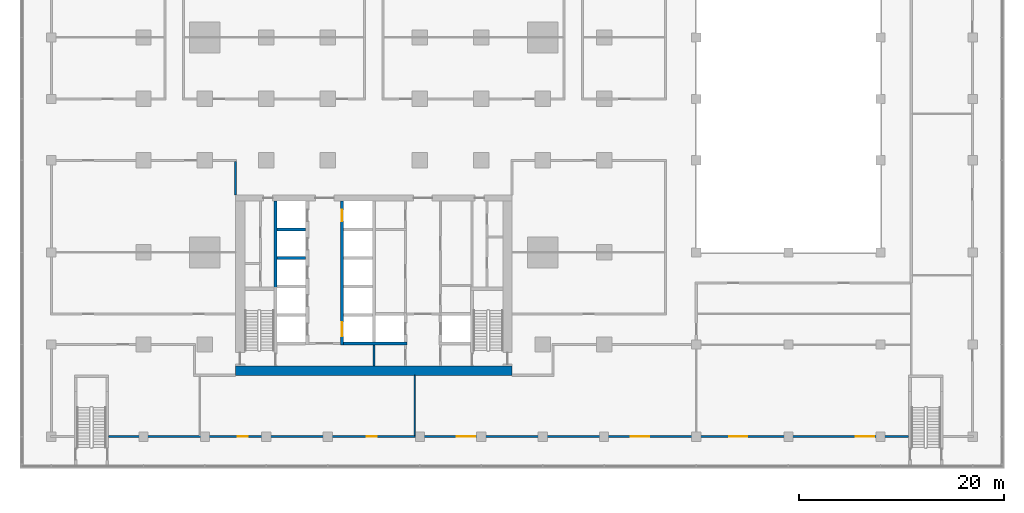
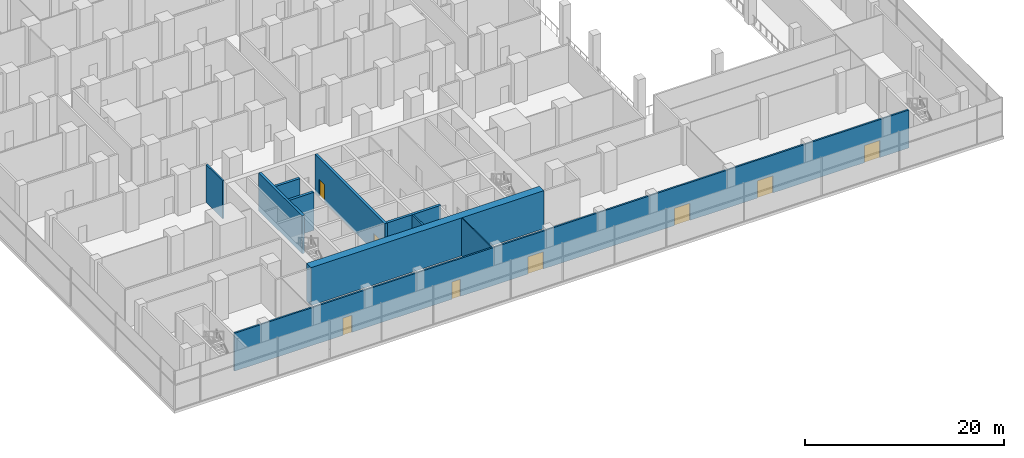
# One storey, part 13 of 22: 10 walls, 8 doors, 8 openings.
"""IFC4 building model written with IfcOpenShell, lengths in metres."""

from ifc_helpers import new_model, si_unit, direction, frame, frame_2d, origin, place, context, subcontext, project, spatial, rectangle, extrude, material, layer, layer_set, type_object, element, fill, save


model = new_model("IFC4")

# Units and contexts
model_context = context("Model", 3, precision=1e-05, world=origin(), true_north=direction((0.0, 1.0)))
body_context = subcontext(model_context, "Body", "Model", "MODEL_VIEW")
ifc_project = project(units=[si_unit("LENGTHUNIT", "METRE"), si_unit("AREAUNIT", "SQUARE_METRE"), si_unit("VOLUMEUNIT", "CUBIC_METRE"), si_unit("PLANEANGLEUNIT", "RADIAN"), si_unit("MASSUNIT", "GRAM", prefix="KILO")], contexts=[model_context])

# Site, building, storey
site_placement = place(None, origin())
site = spatial("IfcSite", under=ifc_project, at=site_placement, CompositionType="ELEMENT")
building_placement = place(site_placement, origin())
building = spatial("IfcBuilding", under=site, at=building_placement, Name="Finial Court Residences", CompositionType="ELEMENT")
storey_placement = place(building_placement, frame((0.0, 0.0, 18.5)))
storey = spatial("IfcBuildingStorey", under=building, at=storey_placement, Name="L03", CompositionType="ELEMENT", Elevation=18.5)

# Wall
ifc_material_1 = material(Name="Concrete C80/95", Category="concrete")
ifc_layer_1 = layer(ifc_material_1, 0.89990234375)
ifc_layer_set_1 = layer_set([ifc_layer_1], Name="Core outer wall 900 Concrete C80/95")
wall_type_1 = type_object("IfcWallType", Name="Core outer wall 900 Concrete C80/95", PredefinedType="SHEAR", material=ifc_layer_set_1)
wall_1_placement = place(storey_placement, frame((-13.5, -25.050048828125, 0.0), z_axis=(0.0, 0.0, 1.0), x_axis=(1.0, 0.0, 0.0)))
element("IfcWall", 1, at=wall_1_placement, inside=storey, type_object=wall_type_1, Name="Core outer wall L03-01", PredefinedType="SHEAR", context=body_context, shape_type="SweptSolid", body=[
    extrude(rectangle(XDim=27.0, YDim=0.89990234375, at=frame_2d((13.5, 0.0))), origin(), (0.0, 0.0, 1.0), 4.64990234375),
])

# Wall, openings, doors
ifc_material_2 = material(Name="Gypsum board")
ifc_layer_2 = layer(ifc_material_2, 0.02490234375)
ifc_material_3 = material(Name="Acoustic mineral wool in double frame")
ifc_layer_3 = layer(ifc_material_3, 0.14990234375)
ifc_layer_4 = layer(ifc_material_2, 0.02490234375)
ifc_layer_set_2 = layer_set([ifc_layer_2, ifc_layer_3, ifc_layer_4], Name="Corridor wall 200, 1 hour")
wall_type_2 = type_object("IfcWallType", Name="Corridor wall 200, 1 hour", PredefinedType="PARTITIONING", material=ifc_layer_set_2)
wall_2_placement = place(storey_placement, frame((-25.89990234375, -31.5, 0.0), z_axis=(0.0, 0.0, 1.0), x_axis=(1.0, 0.0, 0.0)))
wall_2 = element("IfcWall", 2, at=wall_2_placement, inside=storey, type_object=wall_type_2, Name="Partition L03-001", PredefinedType="PARTITIONING", context=body_context, shape_type="SweptSolid", body=[
    extrude(rectangle(XDim=78.14990234375, YDim=0.199951171875, at=frame_2d((39.074951171875, 0.0))), origin(), (0.0, 0.0, 1.0), 4.64990234375),
])
opening_1_placement = place(wall_2_placement, frame((12.60009765625, 0.0, 0.0)))
opening_1 = element("IfcOpeningElement", 3, at=opening_1_placement, cuts=wall_2, Name="Opening L03-D001", PredefinedType="OPENING", context=body_context, shape_type="SweptSolid", body=[
    extrude(rectangle(XDim=1.0, YDim=2.10009765625, at=frame_2d((0.5, 1.050048828125))), frame((0.0, 0.10986328125, 0.0), z_axis=(0.0, -1.0, 0.0), x_axis=(1.0, 0.0, 0.0)), (0.0, 0.0, 1.0), 0.219970703125),
])
opening_2_placement = place(wall_2_placement, frame((25.199951171875, 0.0, 0.0)))
opening_2 = element("IfcOpeningElement", 4, at=opening_2_placement, cuts=wall_2, Name="Opening L03-D002", PredefinedType="OPENING", context=body_context, shape_type="SweptSolid", body=[
    extrude(rectangle(XDim=1.0, YDim=2.10009765625, at=frame_2d((0.5, 1.050048828125))), frame((0.0, 0.10986328125, 0.0), z_axis=(0.0, -1.0, 0.0), x_axis=(1.0, 0.0, 0.0)), (0.0, 0.0, 1.0), 0.219970703125),
])
opening_3_placement = place(wall_2_placement, frame((34.0, 0.0, 0.0)))
opening_3 = element("IfcOpeningElement", 5, at=opening_3_placement, cuts=wall_2, Name="Opening L03-D003", PredefinedType="OPENING", context=body_context, shape_type="SweptSolid", body=[
    extrude(rectangle(XDim=1.800048828125, YDim=2.10009765625, at=frame_2d((0.89990234375, 1.050048828125))), frame((0.0, 0.10986328125, 0.0), z_axis=(0.0, -1.0, 0.0), x_axis=(1.0, 0.0, 0.0)), (0.0, 0.0, 1.0), 0.219970703125),
])
opening_4_placement = place(wall_2_placement, frame((51.0, 0.0, 0.0)))
opening_4 = element("IfcOpeningElement", 6, at=opening_4_placement, cuts=wall_2, Name="Opening L03-D004", PredefinedType="OPENING", context=body_context, shape_type="SweptSolid", body=[
    extrude(rectangle(XDim=1.800048828125, YDim=2.10009765625, at=frame_2d((0.89990234375, 1.050048828125))), frame((0.0, 0.10986328125, 0.0), z_axis=(0.0, -1.0, 0.0), x_axis=(1.0, 0.0, 0.0)), (0.0, 0.0, 1.0), 0.219970703125),
])
opening_5_placement = place(wall_2_placement, frame((60.60009765625, 0.0, 0.0)))
opening_5 = element("IfcOpeningElement", 7, at=opening_5_placement, cuts=wall_2, Name="Opening L03-D005", PredefinedType="OPENING", context=body_context, shape_type="SweptSolid", body=[
    extrude(rectangle(XDim=1.800048828125, YDim=2.10009765625, at=frame_2d((0.89990234375, 1.050048828125))), frame((0.0, 0.10986328125, 0.0), z_axis=(0.0, -1.0, 0.0), x_axis=(1.0, 0.0, 0.0)), (0.0, 0.0, 1.0), 0.219970703125),
])
opening_6_placement = place(wall_2_placement, frame((73.0, 0.0, 0.0)))
opening_6 = element("IfcOpeningElement", 8, at=opening_6_placement, cuts=wall_2, Name="Opening L03-D006", PredefinedType="OPENING", context=body_context, shape_type="SweptSolid", body=[
    extrude(rectangle(XDim=1.800048828125, YDim=2.10009765625, at=frame_2d((0.89990234375, 1.050048828125))), frame((0.0, 0.10986328125, 0.0), z_axis=(0.0, -1.0, 0.0), x_axis=(1.0, 0.0, 0.0)), (0.0, 0.0, 1.0), 0.219970703125),
])
ifc_material_4 = material(Name="Timber door leaf in hollow metal frame", Category="wood")
door_type_1 = type_object("IfcDoorType", Name="Fire door set 1000 x 2100, 30 minutes", OperationType="SINGLE_SWING_LEFT", PredefinedType="DOOR", material=ifc_material_4)
door_1_placement = place(opening_1_placement, origin())
door_1 = element("IfcDoor", 9, at=door_1_placement, inside=storey, type_object=door_type_1, Name="Door L03-D001", OperationType="SINGLE_SWING_RIGHT", OverallHeight=2.10009765625, OverallWidth=1.0, PredefinedType="DOOR", context=body_context, shape_type="SweptSolid", body=[
    extrude(rectangle(XDim=1.0, YDim=2.10009765625, at=frame_2d((0.5, 1.050048828125))), frame((0.0, 0.02490234375, 0.0), z_axis=(0.0, -1.0, 0.0), x_axis=(1.0, 0.0, 0.0)), (0.0, 0.0, 1.0), 0.050048828125),
])
fill(opening_1, door_1)
door_2_placement = place(opening_2_placement, origin())
door_2 = element("IfcDoor", 10, at=door_2_placement, inside=storey, type_object=door_type_1, Name="Door L03-D002", OperationType="SINGLE_SWING_RIGHT", OverallHeight=2.10009765625, OverallWidth=1.0, PredefinedType="DOOR", context=body_context, shape_type="SweptSolid", body=[
    extrude(rectangle(XDim=1.0, YDim=2.10009765625, at=frame_2d((0.5, 1.050048828125))), frame((0.0, 0.02490234375, 0.0), z_axis=(0.0, -1.0, 0.0), x_axis=(1.0, 0.0, 0.0)), (0.0, 0.0, 1.0), 0.050048828125),
])
fill(opening_2, door_2)
door_type_2 = type_object("IfcDoorType", Name="Fire door set 1800 x 2100, 30 minutes", OperationType="DOUBLE_DOOR_SINGLE_SWING", PredefinedType="DOOR", material=ifc_material_4)
door_3_placement = place(opening_3_placement, origin())
door_3 = element("IfcDoor", 11, at=door_3_placement, inside=storey, type_object=door_type_2, Name="Door L03-D003", OperationType="DOUBLE_DOOR_SINGLE_SWING", OverallHeight=2.10009765625, OverallWidth=1.800048828125, PredefinedType="DOOR", context=body_context, shape_type="SweptSolid", body=[
    extrude(rectangle(XDim=1.800048828125, YDim=2.10009765625, at=frame_2d((0.89990234375, 1.050048828125))), frame((0.0, 0.02490234375, 0.0), z_axis=(0.0, -1.0, 0.0), x_axis=(1.0, 0.0, 0.0)), (0.0, 0.0, 1.0), 0.050048828125),
])
fill(opening_3, door_3)
door_4_placement = place(opening_4_placement, origin())
door_4 = element("IfcDoor", 12, at=door_4_placement, inside=storey, type_object=door_type_2, Name="Door L03-D004", OperationType="DOUBLE_DOOR_SINGLE_SWING", OverallHeight=2.10009765625, OverallWidth=1.800048828125, PredefinedType="DOOR", context=body_context, shape_type="SweptSolid", body=[
    extrude(rectangle(XDim=1.800048828125, YDim=2.10009765625, at=frame_2d((0.89990234375, 1.050048828125))), frame((0.0, 0.02490234375, 0.0), z_axis=(0.0, -1.0, 0.0), x_axis=(1.0, 0.0, 0.0)), (0.0, 0.0, 1.0), 0.050048828125),
])
fill(opening_4, door_4)
door_5_placement = place(opening_5_placement, origin())
door_5 = element("IfcDoor", 13, at=door_5_placement, inside=storey, type_object=door_type_2, Name="Door L03-D005", OperationType="DOUBLE_DOOR_SINGLE_SWING", OverallHeight=2.10009765625, OverallWidth=1.800048828125, PredefinedType="DOOR", context=body_context, shape_type="SweptSolid", body=[
    extrude(rectangle(XDim=1.800048828125, YDim=2.10009765625, at=frame_2d((0.89990234375, 1.050048828125))), frame((0.0, 0.02490234375, 0.0), z_axis=(0.0, -1.0, 0.0), x_axis=(1.0, 0.0, 0.0)), (0.0, 0.0, 1.0), 0.050048828125),
])
fill(opening_5, door_5)
door_6_placement = place(opening_6_placement, origin())
door_6 = element("IfcDoor", 14, at=door_6_placement, inside=storey, type_object=door_type_2, Name="Door L03-D006", OperationType="DOUBLE_DOOR_SINGLE_SWING", OverallHeight=2.10009765625, OverallWidth=1.800048828125, PredefinedType="DOOR", context=body_context, shape_type="SweptSolid", body=[
    extrude(rectangle(XDim=1.800048828125, YDim=2.10009765625, at=frame_2d((0.89990234375, 1.050048828125))), frame((0.0, 0.02490234375, 0.0), z_axis=(0.0, -1.0, 0.0), x_axis=(1.0, 0.0, 0.0)), (0.0, 0.0, 1.0), 0.050048828125),
])
fill(opening_6, door_6)

# Walls
wall_3_placement = place(storey_placement, frame((-13.5, -7.89990234375, 0.0), z_axis=(0.0, 0.0, 1.0), x_axis=(0.0, 1.0, 0.0)))
element("IfcWall", 15, at=wall_3_placement, inside=storey, type_object=wall_type_2, Name="Partition L03-051", PredefinedType="PARTITIONING", context=body_context, shape_type="SweptSolid", body=[
    extrude(rectangle(XDim=3.2998046875, YDim=0.199951171875, at=frame_2d((1.64990234375, 0.0))), origin(), (0.0, 0.0, 1.0), 4.64990234375),
])
ifc_layer_5 = layer(ifc_material_2, 0.012451171875)
ifc_material_5 = material(Name="Mineral wool in light-gauge frame")
ifc_layer_6 = layer(ifc_material_5, 0.074951171875)
ifc_layer_7 = layer(ifc_material_2, 0.012451171875)
ifc_layer_set_3 = layer_set([ifc_layer_5, ifc_layer_6, ifc_layer_7], Name="Gypsum board partition 100")
wall_type_3 = type_object("IfcWallType", Name="Gypsum board partition 100", PredefinedType="PARTITIONING", material=ifc_layer_set_3)
wall_4_placement = place(storey_placement, frame((4.0, -31.39990234375, 0.0), z_axis=(0.0, 0.0, 1.0), x_axis=(0.0, 1.0, 0.0)))
element("IfcWall", 16, at=wall_4_placement, inside=storey, type_object=wall_type_3, Name="Partition L03-055", PredefinedType="PARTITIONING", context=body_context, shape_type="SweptSolid", body=[
    extrude(rectangle(XDim=5.89990234375, YDim=0.10009765625, at=frame_2d((2.949951171875, 0.0))), origin(), (0.0, 0.0, 1.0), 4.64990234375),
])
ifc_layer_8 = layer(ifc_material_1, 0.300048828125)
ifc_layer_set_4 = layer_set([ifc_layer_8], Name="Lift shaft and stair wall 300 Concrete C80/95")
wall_type_4 = type_object("IfcWallType", Name="Lift shaft and stair wall 300 Concrete C80/95", PredefinedType="SHEAR", material=ifc_layer_set_4)
wall_5_placement = place(storey_placement, frame((-2.949951171875, -22.39990234375, 0.0), z_axis=(0.0, 0.0, 1.0), x_axis=(1.0, 0.0, 0.0)))
element("IfcWall", 17, at=wall_5_placement, inside=storey, type_object=wall_type_4, Name="Core wall L03-03", PredefinedType="SHEAR", context=body_context, shape_type="SweptSolid", body=[
    extrude(rectangle(XDim=6.199951171875, YDim=0.300048828125, at=frame_2d((3.10009765625, 0.0))), origin(), (0.0, 0.0, 1.0), 4.64990234375),
])
for number, where, z_axis, x_axis, name in (
    (18, (-9.449951171875, -14.06005859375, 0.0), (0.0, 0.0, 1.0), (1.0, 0.0, 0.0), "Core wall L03-16"),
    (19, (-9.449951171875, -11.280029296875, 0.0), (0.0, 0.0, 1.0), (1.0, 0.0, 0.0), "Core wall L03-19"),
):
    element("IfcWall", number, at=place(storey_placement, frame(where, z_axis=z_axis, x_axis=x_axis)), inside=storey, type_object=wall_type_4, Name=name, PredefinedType="SHEAR", context=body_context, shape_type="SweptSolid", body=[
        extrude(rectangle(XDim=2.800048828125, YDim=0.300048828125, at=frame_2d((1.39990234375, 0.0))), origin(), (0.0, 0.0, 1.0), 4.64990234375),
    ])
wall_6_placement = place(storey_placement, frame((-9.60009765625, -17.199951171875, 0.0), z_axis=(0.0, 0.0, 1.0), x_axis=(0.0, 1.0, 0.0)))
element("IfcWall", 20, at=wall_6_placement, inside=storey, type_object=wall_type_4, Name="Core wall L03-25", PredefinedType="SHEAR", context=body_context, shape_type="SweptSolid", body=[
    extrude(rectangle(XDim=8.699951171875, YDim=0.300048828125, at=frame_2d((4.35009765625, 0.0))), origin(), (0.0, 0.0, 1.0), 4.64990234375),
])

# Wall, openings, doors
wall_7_placement = place(storey_placement, frame((-3.10009765625, -22.550048828125, 0.0), z_axis=(0.0, 0.0, 1.0), x_axis=(0.0, 1.0, 0.0)))
wall_7 = element("IfcWall", 21, at=wall_7_placement, inside=storey, type_object=wall_type_4, Name="Core wall L03-27", PredefinedType="SHEAR", context=body_context, shape_type="SweptSolid", body=[
    extrude(rectangle(XDim=14.050048828125, YDim=0.300048828125, at=frame_2d((7.02490234375, 0.0))), origin(), (0.0, 0.0, 1.0), 4.64990234375),
])
opening_7_placement = place(wall_7_placement, frame((12.110107421875, 0.0, 0.0)))
opening_7 = element("IfcOpeningElement", 22, at=opening_7_placement, cuts=wall_7, Name="Opening L03-LD08", PredefinedType="OPENING", context=body_context, shape_type="SweptSolid", body=[
    extrude(rectangle(XDim=1.10009765625, YDim=2.10009765625, at=frame_2d((0.550048828125, 1.050048828125))), frame((0.0, 0.159912109375, 0.0), z_axis=(0.0, -1.0, 0.0), x_axis=(1.0, 0.0, 0.0)), (0.0, 0.0, 1.0), 0.320068359375),
])
opening_8_placement = place(wall_7_placement, frame((0.840087890625, 0.0, 0.0)))
opening_8 = element("IfcOpeningElement", 23, at=opening_8_placement, cuts=wall_7, Name="Opening L03-LD09", PredefinedType="OPENING", context=body_context, shape_type="SweptSolid", body=[
    extrude(rectangle(XDim=1.39990234375, YDim=2.10009765625, at=frame_2d((0.699951171875, 1.050048828125))), frame((0.0, 0.159912109375, 0.0), z_axis=(0.0, -1.0, 0.0), x_axis=(1.0, 0.0, 0.0)), (0.0, 0.0, 1.0), 0.320068359375),
])
ifc_material_6 = material(Name="Stainless steel lift door", Category="steel")
door_type_3 = type_object("IfcDoorType", Name="Lift landing door 1100 x 2100 EI 90", OperationType="DOUBLE_DOOR_SLIDING", PredefinedType="DOOR", material=ifc_material_6)
door_7_placement = place(opening_7_placement, origin())
door_7 = element("IfcDoor", 24, at=door_7_placement, inside=storey, type_object=door_type_3, Name="Lift landing door LR6 L03", OperationType="DOUBLE_DOOR_SLIDING", OverallHeight=2.10009765625, OverallWidth=1.10009765625, PredefinedType="DOOR", context=body_context, shape_type="SweptSolid", body=[
    extrude(rectangle(XDim=1.10009765625, YDim=2.10009765625, at=frame_2d((0.550048828125, 1.050048828125))), frame((0.0, 0.02490234375, 0.0), z_axis=(0.0, -1.0, 0.0), x_axis=(1.0, 0.0, 0.0)), (0.0, 0.0, 1.0), 0.050048828125),
])
fill(opening_7, door_7)
door_type_4 = type_object("IfcDoorType", Name="Lift landing door 1400 x 2100 EI 90", OperationType="DOUBLE_DOOR_SLIDING", PredefinedType="DOOR", material=ifc_material_6)
door_8_placement = place(opening_8_placement, origin())
door_8 = element("IfcDoor", 25, at=door_8_placement, inside=storey, type_object=door_type_4, Name="Lift landing door SV1 L03", OperationType="DOUBLE_DOOR_SLIDING", OverallHeight=2.10009765625, OverallWidth=1.39990234375, PredefinedType="DOOR", context=body_context, shape_type="SweptSolid", body=[
    extrude(rectangle(XDim=1.39990234375, YDim=2.10009765625, at=frame_2d((0.699951171875, 1.050048828125))), frame((0.0, 0.02490234375, 0.0), z_axis=(0.0, -1.0, 0.0), x_axis=(1.0, 0.0, 0.0)), (0.0, 0.0, 1.0), 0.050048828125),
])
fill(opening_8, door_8)

# Wall
ifc_material_7 = material(Name="Fire-rated gypsum board partition")
ifc_layer_9 = layer(ifc_material_7, 0.199951171875)
ifc_layer_set_5 = layer_set([ifc_layer_9], Name="Riser room wall 200 EI 120")
wall_type_5 = type_object("IfcWallType", Name="Riser room wall 200 EI 120", PredefinedType="PARTITIONING", material=ifc_layer_set_5)
wall_8_placement = place(storey_placement, frame((0.0, -24.60009765625, 0.0), z_axis=(0.0, 0.0, 1.0), x_axis=(0.0, 1.0, 0.0)))
element("IfcWall", 26, at=wall_8_placement, inside=storey, type_object=wall_type_5, Name="Core partition L03-28", PredefinedType="PARTITIONING", context=body_context, shape_type="SweptSolid", body=[
    extrude(rectangle(XDim=2.050048828125, YDim=0.199951171875, at=frame_2d((1.02490234375, 0.0))), origin(), (0.0, 0.0, 1.0), 4.64990234375),
])

save(model, "model.ifc")
